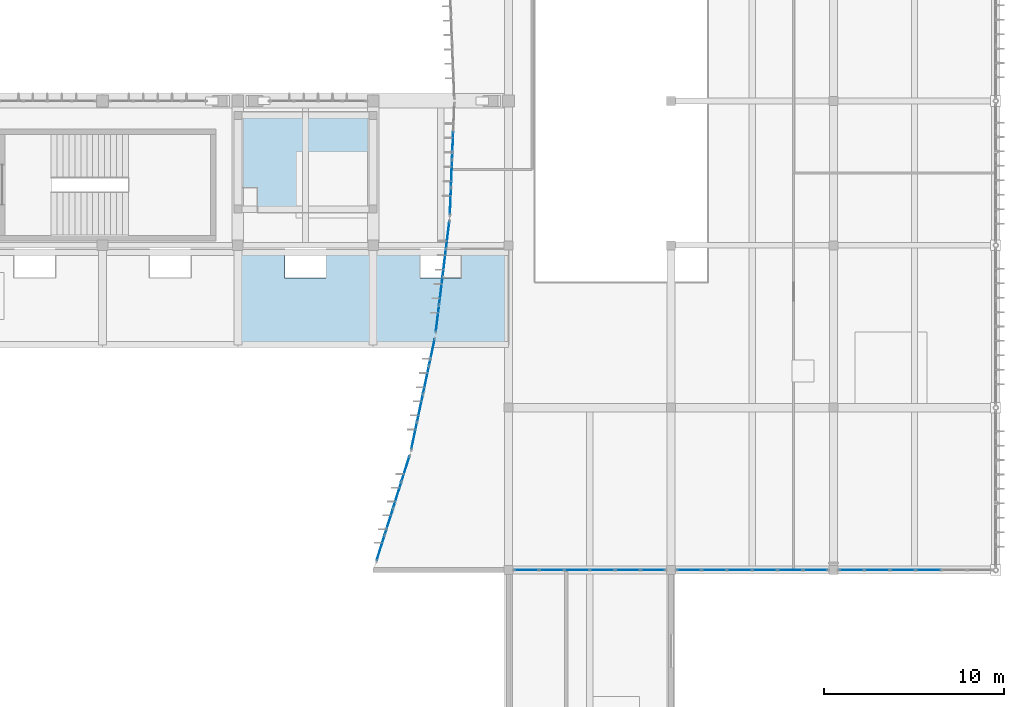
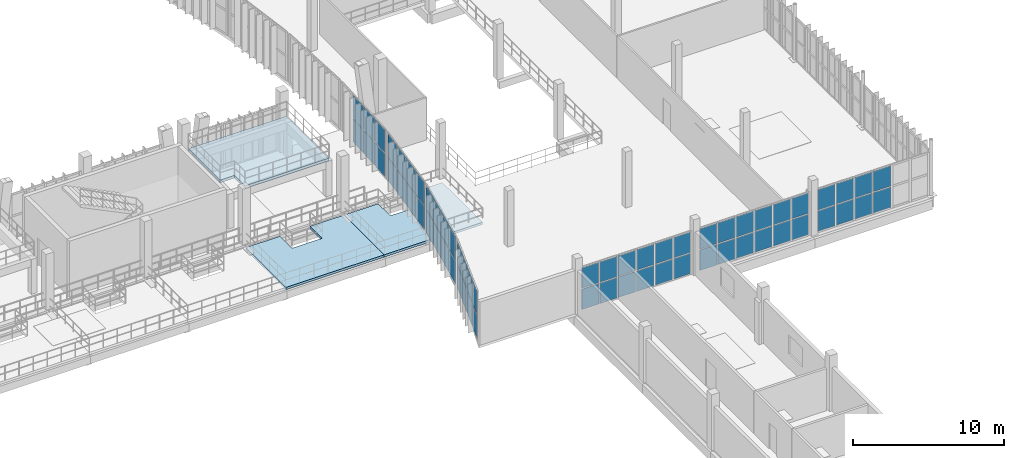
# One storey, part 45 of 81: 62 plates, 3 slabs, 7 elements without a shape of their own.
"""IFC4 building model written with IfcOpenShell, lengths in metres."""

from ifc_helpers import new_model, si_unit, direction, frame, origin, origin_2d, place, context, subcontext, project, spatial, polyline, rectangle, outline, extrude, material, layer, layer_set, type_object, element, aggregate, save


model = new_model("IFC4")

# Units and contexts
model_context = context("Model", 3, precision=1e-05, world=origin(), true_north=direction((0.0, 1.0)))
body_context = subcontext(model_context, "Body", "Model", "MODEL_VIEW")
ifc_project = project(units=[si_unit("LENGTHUNIT", "METRE"), si_unit("AREAUNIT", "SQUARE_METRE"), si_unit("VOLUMEUNIT", "CUBIC_METRE"), si_unit("PLANEANGLEUNIT", "RADIAN"), si_unit("MASSUNIT", "GRAM", prefix="KILO")], contexts=[model_context])

# Site, building, storey
site_placement = place(None, origin())
site = spatial("IfcSite", under=ifc_project, at=site_placement, CompositionType="ELEMENT")
building_placement = place(site_placement, origin())
building = spatial("IfcBuilding", under=site, at=building_placement, Name="Vourika Railside Aquatics Centre", CompositionType="ELEMENT")
storey_placement = place(building_placement, frame((0.0, 0.0, 4.800048828125)))
storey = spatial("IfcBuildingStorey", under=building, at=storey_placement, Name="L01", CompositionType="ELEMENT", Elevation=4.800048828125)

# Curtain wall, plates
ifc_material_1 = material(Name="Anodized thermally broken aluminium", Category="aluminium")
curtain_wall_type_1 = type_object("IfcCurtainWallType", Name="CW-FOYC1", PredefinedType="NOTDEFINED", material=ifc_material_1)
curtain_wall_1_placement = place(storey_placement, origin())
curtain_wall_1 = element("IfcCurtainWall", 1, at=curtain_wall_1_placement, inside=storey, type_object=curtain_wall_type_1, Name="Curved Courtyard Foyer Curtain Wall L01-1", PredefinedType="NOTDEFINED")
ifc_material_2 = material(Name="Low-E solar-control laminated double glazing", Category="glass")
ifc_layer_1 = layer(ifc_material_2, 0.031982421875, Name="CWP-FOYC1")
ifc_layer_set_1 = layer_set([ifc_layer_1], Name="Low-E solar-control laminated double glazing")
plate_type_1 = type_object("IfcPlateType", Name="CWP-FOYC1", PredefinedType="CURTAIN_PANEL", material=ifc_layer_set_1)
plate_1_placement = place(storey_placement, frame((135.292724609375, 45.6083984375, 0.070068359375), z_axis=(0.0, 0.0, 1.0), x_axis=(-0.29997424472, -0.953947300696, 0.0)))
plate_1 = element("IfcPlate", 2, at=plate_1_placement, type_object=plate_type_1, Name="CW08 panel 1.1", PredefinedType="CURTAIN_PANEL", context=body_context, shape_type="SweptSolid", body=[
    extrude(rectangle(XDim=1.43603515625, YDim=0.031982421875, at=origin_2d()), origin(), (0.0, 0.0, 1.0), 1.85498046875),
])
plate_2_placement = place(storey_placement, frame((135.292724609375, 45.6083984375, 1.994873046875), z_axis=(0.0, 0.0, 1.0), x_axis=(-0.29997424472, -0.953947300696, 0.0)))
plate_2 = element("IfcPlate", 3, at=plate_2_placement, type_object=plate_type_1, Name="CW08 panel 1.2", PredefinedType="CURTAIN_PANEL", context=body_context, shape_type="SweptSolid", body=[
    extrude(rectangle(XDim=1.43603515625, YDim=0.031982421875, at=origin_2d()), origin(), (0.0, 0.0, 1.0), 1.85498046875),
])
plate_3_placement = place(storey_placement, frame((134.835693359375, 44.155029296875, 0.070068359375), z_axis=(0.0, 0.0, 1.0), x_axis=(-0.29997424472, -0.953947300696, 0.0)))
plate_3 = element("IfcPlate", 4, at=plate_3_placement, type_object=plate_type_1, Name="CW08 panel 2.1", PredefinedType="CURTAIN_PANEL", context=body_context, shape_type="SweptSolid", body=[
    extrude(rectangle(XDim=1.470947265625, YDim=0.031982421875, at=origin_2d()), origin(), (0.0, 0.0, 1.0), 1.85498046875),
])
plate_4_placement = place(storey_placement, frame((134.835693359375, 44.155029296875, 1.994873046875), z_axis=(0.0, 0.0, 1.0), x_axis=(-0.29997424472, -0.953947300696, 0.0)))
plate_4 = element("IfcPlate", 5, at=plate_4_placement, type_object=plate_type_1, Name="CW08 panel 2.2", PredefinedType="CURTAIN_PANEL", context=body_context, shape_type="SweptSolid", body=[
    extrude(rectangle(XDim=1.470947265625, YDim=0.031982421875, at=origin_2d()), origin(), (0.0, 0.0, 1.0), 1.85498046875),
])
plate_5_placement = place(storey_placement, frame((134.373291015625, 42.68505859375, 0.070068359375), z_axis=(0.0, 0.0, 1.0), x_axis=(-0.29997424472, -0.953947300696, 0.0)))
plate_5 = element("IfcPlate", 6, at=plate_5_placement, type_object=plate_type_1, Name="CW08 panel 3.1", PredefinedType="CURTAIN_PANEL", context=body_context, shape_type="SweptSolid", body=[
    extrude(rectangle(XDim=1.470947265625, YDim=0.031982421875, at=origin_2d()), origin(), (0.0, 0.0, 1.0), 1.85498046875),
])
plate_6_placement = place(storey_placement, frame((134.373291015625, 42.68505859375, 1.994873046875), z_axis=(0.0, 0.0, 1.0), x_axis=(-0.29997424472, -0.953947300696, 0.0)))
plate_6 = element("IfcPlate", 7, at=plate_6_placement, type_object=plate_type_1, Name="CW08 panel 3.2", PredefinedType="CURTAIN_PANEL", context=body_context, shape_type="SweptSolid", body=[
    extrude(rectangle(XDim=1.470947265625, YDim=0.031982421875, at=origin_2d()), origin(), (0.0, 0.0, 1.0), 1.85498046875),
])
plate_7_placement = place(storey_placement, frame((133.916259765625, 41.231689453125, 0.070068359375), z_axis=(0.0, 0.0, 1.0), x_axis=(-0.29997424472, -0.953947300696, 0.0)))
plate_7 = element("IfcPlate", 8, at=plate_7_placement, type_object=plate_type_1, Name="CW08 panel 4.1", PredefinedType="CURTAIN_PANEL", context=body_context, shape_type="SweptSolid", body=[
    extrude(rectangle(XDim=1.43603515625, YDim=0.031982421875, at=origin_2d()), origin(), (0.0, 0.0, 1.0), 1.85498046875),
])
plate_8_placement = place(storey_placement, frame((133.916259765625, 41.231689453125, 1.994873046875), z_axis=(0.0, 0.0, 1.0), x_axis=(-0.29997424472, -0.953947300696, 0.0)))
plate_8 = element("IfcPlate", 9, at=plate_8_placement, type_object=plate_type_1, Name="CW08 panel 4.2", PredefinedType="CURTAIN_PANEL", context=body_context, shape_type="SweptSolid", body=[
    extrude(rectangle(XDim=1.43603515625, YDim=0.031982421875, at=origin_2d()), origin(), (0.0, 0.0, 1.0), 1.85498046875),
])
aggregate(curtain_wall_1, [plate_1, plate_2, plate_3, plate_4, plate_5, plate_6, plate_7, plate_8])

curtain_wall_2_placement = place(storey_placement, origin())
curtain_wall_2 = element("IfcCurtainWall", 10, at=curtain_wall_2_placement, inside=storey, type_object=curtain_wall_type_1, Name="Curved Courtyard Foyer Curtain Wall L01-2", PredefinedType="NOTDEFINED")
plate_9_placement = place(storey_placement, frame((136.75341796875, 52.0654296875, 0.070068359375), z_axis=(0.0, 0.0, 1.0), x_axis=(-0.207595418094, -0.978214773139, 0.0)))
plate_9 = element("IfcPlate", 11, at=plate_9_placement, type_object=plate_type_1, Name="CW08 panel 1.1", PredefinedType="CURTAIN_PANEL", context=body_context, shape_type="SweptSolid", body=[
    extrude(rectangle(XDim=1.484619140625, YDim=0.031982421875, at=origin_2d()), origin(), (0.0, 0.0, 1.0), 1.85498046875),
])
plate_10_placement = place(storey_placement, frame((136.75341796875, 52.0654296875, 1.994873046875), z_axis=(0.0, 0.0, 1.0), x_axis=(-0.207595418094, -0.978214773139, 0.0)))
plate_10 = element("IfcPlate", 12, at=plate_10_placement, type_object=plate_type_1, Name="CW08 panel 1.2", PredefinedType="CURTAIN_PANEL", context=body_context, shape_type="SweptSolid", body=[
    extrude(rectangle(XDim=1.484619140625, YDim=0.031982421875, at=origin_2d()), origin(), (0.0, 0.0, 1.0), 1.85498046875),
])
plate_11_placement = place(storey_placement, frame((136.427001953125, 50.527587890625, 0.070068359375), z_axis=(0.0, 0.0, 1.0), x_axis=(-0.207595418094, -0.978214773139, 0.0)))
plate_11 = element("IfcPlate", 13, at=plate_11_placement, type_object=plate_type_1, Name="CW08 panel 2.1", PredefinedType="CURTAIN_PANEL", context=body_context, shape_type="SweptSolid", body=[
    extrude(rectangle(XDim=1.51953125, YDim=0.031982421875, at=origin_2d()), origin(), (0.0, 0.0, 1.0), 1.85498046875),
])
plate_12_placement = place(storey_placement, frame((136.427001953125, 50.527587890625, 1.994873046875), z_axis=(0.0, 0.0, 1.0), x_axis=(-0.207595418094, -0.978214773139, 0.0)))
plate_12 = element("IfcPlate", 14, at=plate_12_placement, type_object=plate_type_1, Name="CW08 panel 2.2", PredefinedType="CURTAIN_PANEL", context=body_context, shape_type="SweptSolid", body=[
    extrude(rectangle(XDim=1.51953125, YDim=0.031982421875, at=origin_2d()), origin(), (0.0, 0.0, 1.0), 1.85498046875),
])
plate_13_placement = place(storey_placement, frame((136.096923828125, 48.972412109375, 0.070068359375), z_axis=(0.0, 0.0, 1.0), x_axis=(-0.207595418094, -0.978214773139, 0.0)))
plate_13 = element("IfcPlate", 15, at=plate_13_placement, type_object=plate_type_1, Name="CW08 panel 3.1", PredefinedType="CURTAIN_PANEL", context=body_context, shape_type="SweptSolid", body=[
    extrude(rectangle(XDim=1.51953125, YDim=0.031982421875, at=origin_2d()), origin(), (0.0, 0.0, 1.0), 1.85498046875),
])
plate_14_placement = place(storey_placement, frame((136.096923828125, 48.972412109375, 1.994873046875), z_axis=(0.0, 0.0, 1.0), x_axis=(-0.207595418094, -0.978214773139, 0.0)))
plate_14 = element("IfcPlate", 16, at=plate_14_placement, type_object=plate_type_1, Name="CW08 panel 3.2", PredefinedType="CURTAIN_PANEL", context=body_context, shape_type="SweptSolid", body=[
    extrude(rectangle(XDim=1.51953125, YDim=0.031982421875, at=origin_2d()), origin(), (0.0, 0.0, 1.0), 1.85498046875),
])
plate_15_placement = place(storey_placement, frame((135.770751953125, 47.4345703125, 0.070068359375), z_axis=(0.0, 0.0, 1.0), x_axis=(-0.207595418094, -0.978214773139, 0.0)))
plate_15 = element("IfcPlate", 17, at=plate_15_placement, type_object=plate_type_1, Name="CW08 panel 4.1", PredefinedType="CURTAIN_PANEL", context=body_context, shape_type="SweptSolid", body=[
    extrude(rectangle(XDim=1.484619140625, YDim=0.031982421875, at=origin_2d()), origin(), (0.0, 0.0, 1.0), 1.85498046875),
])
plate_16_placement = place(storey_placement, frame((135.770751953125, 47.4345703125, 1.994873046875), z_axis=(0.0, 0.0, 1.0), x_axis=(-0.207595418094, -0.978214773139, 0.0)))
plate_16 = element("IfcPlate", 18, at=plate_16_placement, type_object=plate_type_1, Name="CW08 panel 4.2", PredefinedType="CURTAIN_PANEL", context=body_context, shape_type="SweptSolid", body=[
    extrude(rectangle(XDim=1.484619140625, YDim=0.031982421875, at=origin_2d()), origin(), (0.0, 0.0, 1.0), 1.85498046875),
])
aggregate(curtain_wall_2, [plate_9, plate_10, plate_11, plate_12, plate_13, plate_14, plate_15, plate_16])

curtain_wall_3_placement = place(storey_placement, origin())
curtain_wall_3 = element("IfcCurtainWall", 19, at=curtain_wall_3_placement, inside=storey, type_object=curtain_wall_type_1, Name="Curved Courtyard Foyer Curtain Wall L01-3", PredefinedType="NOTDEFINED")
plate_17_placement = place(storey_placement, frame((137.6318359375, 58.565185546875, 0.070068359375), z_axis=(0.0, 0.0, 1.0), x_axis=(-0.121441721361, -0.992598563525, 0.0)))
plate_17 = element("IfcPlate", 20, at=plate_17_placement, type_object=plate_type_1, Name="CW08 panel 1.1", PredefinedType="CURTAIN_PANEL", context=body_context, shape_type="SweptSolid", body=[
    extrude(rectangle(XDim=1.461669921875, YDim=0.031982421875, at=origin_2d()), origin(), (0.0, 0.0, 1.0), 1.85498046875),
])
plate_18_placement = place(storey_placement, frame((137.6318359375, 58.565185546875, 1.994873046875), z_axis=(0.0, 0.0, 1.0), x_axis=(-0.121441721361, -0.992598563525, 0.0)))
plate_18 = element("IfcPlate", 21, at=plate_18_placement, type_object=plate_type_1, Name="CW08 panel 1.2", PredefinedType="CURTAIN_PANEL", context=body_context, shape_type="SweptSolid", body=[
    extrude(rectangle(XDim=1.461669921875, YDim=0.031982421875, at=origin_2d()), origin(), (0.0, 0.0, 1.0), 1.85498046875),
])
plate_19_placement = place(storey_placement, frame((137.443603515625, 57.027587890625, 0.070068359375), z_axis=(0.0, 0.0, 1.0), x_axis=(-0.121441721361, -0.992598563525, 0.0)))
plate_19 = element("IfcPlate", 22, at=plate_19_placement, type_object=plate_type_1, Name="CW08 panel 2.1", PredefinedType="CURTAIN_PANEL", context=body_context, shape_type="SweptSolid", body=[
    extrude(rectangle(XDim=1.49658203125, YDim=0.031982421875, at=origin_2d()), origin(), (0.0, 0.0, 1.0), 1.85498046875),
])
plate_20_placement = place(storey_placement, frame((137.443603515625, 57.027587890625, 1.994873046875), z_axis=(0.0, 0.0, 1.0), x_axis=(-0.121441721361, -0.992598563525, 0.0)))
plate_20 = element("IfcPlate", 23, at=plate_20_placement, type_object=plate_type_1, Name="CW08 panel 2.2", PredefinedType="CURTAIN_PANEL", context=body_context, shape_type="SweptSolid", body=[
    extrude(rectangle(XDim=1.49658203125, YDim=0.031982421875, at=origin_2d()), origin(), (0.0, 0.0, 1.0), 1.85498046875),
])
plate_21_placement = place(storey_placement, frame((137.25341796875, 55.472412109375, 0.070068359375), z_axis=(0.0, 0.0, 1.0), x_axis=(-0.121441721361, -0.992598563525, 0.0)))
plate_21 = element("IfcPlate", 24, at=plate_21_placement, type_object=plate_type_1, Name="CW08 panel 3.1", PredefinedType="CURTAIN_PANEL", context=body_context, shape_type="SweptSolid", body=[
    extrude(rectangle(XDim=1.49658203125, YDim=0.031982421875, at=origin_2d()), origin(), (0.0, 0.0, 1.0), 1.85498046875),
])
plate_22_placement = place(storey_placement, frame((137.25341796875, 55.472412109375, 1.994873046875), z_axis=(0.0, 0.0, 1.0), x_axis=(-0.121441721361, -0.992598563525, 0.0)))
plate_22 = element("IfcPlate", 25, at=plate_22_placement, type_object=plate_type_1, Name="CW08 panel 3.2", PredefinedType="CURTAIN_PANEL", context=body_context, shape_type="SweptSolid", body=[
    extrude(rectangle(XDim=1.49658203125, YDim=0.031982421875, at=origin_2d()), origin(), (0.0, 0.0, 1.0), 1.85498046875),
])
plate_23_placement = place(storey_placement, frame((137.065185546875, 53.934814453125, 0.070068359375), z_axis=(0.0, 0.0, 1.0), x_axis=(-0.121441721361, -0.992598563525, 0.0)))
plate_23 = element("IfcPlate", 26, at=plate_23_placement, type_object=plate_type_1, Name="CW08 panel 4.1", PredefinedType="CURTAIN_PANEL", context=body_context, shape_type="SweptSolid", body=[
    extrude(rectangle(XDim=1.461669921875, YDim=0.031982421875, at=origin_2d()), origin(), (0.0, 0.0, 1.0), 1.85498046875),
])
plate_24_placement = place(storey_placement, frame((137.065185546875, 53.934814453125, 1.994873046875), z_axis=(0.0, 0.0, 1.0), x_axis=(-0.121441721361, -0.992598563525, 0.0)))
plate_24 = element("IfcPlate", 27, at=plate_24_placement, type_object=plate_type_1, Name="CW08 panel 4.2", PredefinedType="CURTAIN_PANEL", context=body_context, shape_type="SweptSolid", body=[
    extrude(rectangle(XDim=1.461669921875, YDim=0.031982421875, at=origin_2d()), origin(), (0.0, 0.0, 1.0), 1.85498046875),
])
aggregate(curtain_wall_3, [plate_17, plate_18, plate_19, plate_20, plate_21, plate_22, plate_23, plate_24])

curtain_wall_4_placement = place(storey_placement, origin())
curtain_wall_4 = element("IfcCurtainWall", 28, at=curtain_wall_4_placement, inside=storey, type_object=curtain_wall_type_1, Name="Curved Courtyard Foyer Curtain Wall L01-4", PredefinedType="NOTDEFINED")
plate_25_placement = place(storey_placement, frame((137.90673828125, 63.527587890625, 0.070068359375), z_axis=(0.0, 0.0, 1.0), x_axis=(-0.040000115606, -0.999199675116, 0.0)))
plate_25 = element("IfcPlate", 29, at=plate_25_placement, type_object=plate_type_1, Name="CW08 panel 2.1", PredefinedType="CURTAIN_PANEL", context=body_context, shape_type="SweptSolid", body=[
    extrude(rectangle(XDim=1.486328125, YDim=0.031982421875, at=origin_2d()), origin(), (0.0, 0.0, 1.0), 1.85498046875),
])
plate_26_placement = place(storey_placement, frame((137.90673828125, 63.527587890625, 1.994873046875), z_axis=(0.0, 0.0, 1.0), x_axis=(-0.040000115606, -0.999199675116, 0.0)))
plate_26 = element("IfcPlate", 30, at=plate_26_placement, type_object=plate_type_1, Name="CW08 panel 2.2", PredefinedType="CURTAIN_PANEL", context=body_context, shape_type="SweptSolid", body=[
    extrude(rectangle(XDim=1.486328125, YDim=0.031982421875, at=origin_2d()), origin(), (0.0, 0.0, 1.0), 1.85498046875),
])
plate_27_placement = place(storey_placement, frame((137.844482421875, 61.972412109375, 0.070068359375), z_axis=(0.0, 0.0, 1.0), x_axis=(-0.040000115606, -0.999199675116, 0.0)))
plate_27 = element("IfcPlate", 31, at=plate_27_placement, type_object=plate_type_1, Name="CW08 panel 3.1", PredefinedType="CURTAIN_PANEL", context=body_context, shape_type="SweptSolid", body=[
    extrude(rectangle(XDim=1.486328125, YDim=0.031982421875, at=origin_2d()), origin(), (0.0, 0.0, 1.0), 1.85498046875),
])
plate_28_placement = place(storey_placement, frame((137.844482421875, 61.972412109375, 1.994873046875), z_axis=(0.0, 0.0, 1.0), x_axis=(-0.040000115606, -0.999199675116, 0.0)))
plate_28 = element("IfcPlate", 32, at=plate_28_placement, type_object=plate_type_1, Name="CW08 panel 3.2", PredefinedType="CURTAIN_PANEL", context=body_context, shape_type="SweptSolid", body=[
    extrude(rectangle(XDim=1.486328125, YDim=0.031982421875, at=origin_2d()), origin(), (0.0, 0.0, 1.0), 1.85498046875),
])
plate_29_placement = place(storey_placement, frame((137.78271484375, 60.43505859375, 0.070068359375), z_axis=(0.0, 0.0, 1.0), x_axis=(-0.040000115606, -0.999199675116, 0.0)))
plate_29 = element("IfcPlate", 33, at=plate_29_placement, type_object=plate_type_1, Name="CW08 panel 4.1", PredefinedType="CURTAIN_PANEL", context=body_context, shape_type="SweptSolid", body=[
    extrude(rectangle(XDim=1.451171875, YDim=0.031982421875, at=origin_2d()), origin(), (0.0, 0.0, 1.0), 1.85498046875),
])
plate_30_placement = place(storey_placement, frame((137.78271484375, 60.43505859375, 1.994873046875), z_axis=(0.0, 0.0, 1.0), x_axis=(-0.040000115606, -0.999199675116, 0.0)))
plate_30 = element("IfcPlate", 34, at=plate_30_placement, type_object=plate_type_1, Name="CW08 panel 4.2", PredefinedType="CURTAIN_PANEL", context=body_context, shape_type="SweptSolid", body=[
    extrude(rectangle(XDim=1.451171875, YDim=0.031982421875, at=origin_2d()), origin(), (0.0, 0.0, 1.0), 1.85498046875),
])
aggregate(curtain_wall_4, [plate_25, plate_26, plate_27, plate_28, plate_29, plate_30])

curtain_wall_type_2 = type_object("IfcCurtainWallType", Name="CW-FOYS", PredefinedType="NOTDEFINED", material=ifc_material_1)
curtain_wall_5_placement = place(storey_placement, origin())
curtain_wall_5 = element("IfcCurtainWall", 35, at=curtain_wall_5_placement, inside=storey, type_object=curtain_wall_type_2, Name="Foyer South Glazed Facade L01-1", PredefinedType="NOTDEFINED")
ifc_layer_2 = layer(ifc_material_2, 0.031982421875, Name="CWP-FOYS")
ifc_layer_set_2 = layer_set([ifc_layer_2], Name="Low-E solar-control laminated double glazing")
plate_type_2 = type_object("IfcPlateType", Name="CWP-FOYS", PredefinedType="CURTAIN_PANEL", material=ifc_layer_set_2)
plate_31_placement = place(storey_placement, frame((142.001220703125, 40.0, 0.072021484375), z_axis=(0.0, 0.0, 1.0), x_axis=(1.0, 0.0, 0.0)))
plate_31 = element("IfcPlate", 36, at=plate_31_placement, type_object=plate_type_2, Name="CW11 panel 1.1", PredefinedType="CURTAIN_PANEL", context=body_context, shape_type="SweptSolid", body=[
    extrude(rectangle(XDim=1.298583984375, YDim=0.031982421875, at=origin_2d()), origin(), (0.0, 0.0, 1.0), 1.64208984375),
])
plate_32_placement = place(storey_placement, frame((142.001220703125, 40.0, 1.785888671875), z_axis=(0.0, 0.0, 1.0), x_axis=(1.0, 0.0, 0.0)))
plate_32 = element("IfcPlate", 37, at=plate_32_placement, type_object=plate_type_2, Name="CW11 panel 1.2", PredefinedType="CURTAIN_PANEL", context=body_context, shape_type="SweptSolid", body=[
    extrude(rectangle(XDim=1.298583984375, YDim=0.031982421875, at=origin_2d()), origin(), (0.0, 0.0, 1.0), 1.64208984375),
])
plate_33_placement = place(storey_placement, frame((143.389892578125, 40.0, 0.072021484375), z_axis=(0.0, 0.0, 1.0), x_axis=(1.0, 0.0, 0.0)))
plate_33 = element("IfcPlate", 38, at=plate_33_placement, type_object=plate_type_2, Name="CW11 panel 2.1", PredefinedType="CURTAIN_PANEL", context=body_context, shape_type="SweptSolid", body=[
    extrude(rectangle(XDim=1.334716796875, YDim=0.031982421875, at=origin_2d()), origin(), (0.0, 0.0, 1.0), 1.64208984375),
])
plate_34_placement = place(storey_placement, frame((143.389892578125, 40.0, 1.785888671875), z_axis=(0.0, 0.0, 1.0), x_axis=(1.0, 0.0, 0.0)))
plate_34 = element("IfcPlate", 39, at=plate_34_placement, type_object=plate_type_2, Name="CW11 panel 2.2", PredefinedType="CURTAIN_PANEL", context=body_context, shape_type="SweptSolid", body=[
    extrude(rectangle(XDim=1.334716796875, YDim=0.031982421875, at=origin_2d()), origin(), (0.0, 0.0, 1.0), 1.64208984375),
])
plate_35_placement = place(storey_placement, frame((144.796630859375, 40.0, 0.072021484375), z_axis=(0.0, 0.0, 1.0), x_axis=(1.0, 0.0, 0.0)))
plate_35 = element("IfcPlate", 40, at=plate_35_placement, type_object=plate_type_2, Name="CW11 panel 3.1", PredefinedType="CURTAIN_PANEL", context=body_context, shape_type="SweptSolid", body=[
    extrude(rectangle(XDim=1.334716796875, YDim=0.031982421875, at=origin_2d()), origin(), (0.0, 0.0, 1.0), 1.64208984375),
])
plate_36_placement = place(storey_placement, frame((144.796630859375, 40.0, 1.785888671875), z_axis=(0.0, 0.0, 1.0), x_axis=(1.0, 0.0, 0.0)))
plate_36 = element("IfcPlate", 41, at=plate_36_placement, type_object=plate_type_2, Name="CW11 panel 3.2", PredefinedType="CURTAIN_PANEL", context=body_context, shape_type="SweptSolid", body=[
    extrude(rectangle(XDim=1.334716796875, YDim=0.031982421875, at=origin_2d()), origin(), (0.0, 0.0, 1.0), 1.64208984375),
])
plate_37_placement = place(storey_placement, frame((146.203369140625, 40.0, 0.072021484375), z_axis=(0.0, 0.0, 1.0), x_axis=(1.0, 0.0, 0.0)))
plate_37 = element("IfcPlate", 42, at=plate_37_placement, type_object=plate_type_2, Name="CW11 panel 4.1", PredefinedType="CURTAIN_PANEL", context=body_context, shape_type="SweptSolid", body=[
    extrude(rectangle(XDim=1.334716796875, YDim=0.031982421875, at=origin_2d()), origin(), (0.0, 0.0, 1.0), 1.64208984375),
])
plate_38_placement = place(storey_placement, frame((146.203369140625, 40.0, 1.785888671875), z_axis=(0.0, 0.0, 1.0), x_axis=(1.0, 0.0, 0.0)))
plate_38 = element("IfcPlate", 43, at=plate_38_placement, type_object=plate_type_2, Name="CW11 panel 4.2", PredefinedType="CURTAIN_PANEL", context=body_context, shape_type="SweptSolid", body=[
    extrude(rectangle(XDim=1.334716796875, YDim=0.031982421875, at=origin_2d()), origin(), (0.0, 0.0, 1.0), 1.64208984375),
])
plate_39_placement = place(storey_placement, frame((147.610107421875, 40.0, 0.072021484375), z_axis=(0.0, 0.0, 1.0), x_axis=(1.0, 0.0, 0.0)))
plate_39 = element("IfcPlate", 44, at=plate_39_placement, type_object=plate_type_2, Name="CW11 panel 5.1", PredefinedType="CURTAIN_PANEL", context=body_context, shape_type="SweptSolid", body=[
    extrude(rectangle(XDim=1.334716796875, YDim=0.031982421875, at=origin_2d()), origin(), (0.0, 0.0, 1.0), 1.64208984375),
])
plate_40_placement = place(storey_placement, frame((147.610107421875, 40.0, 1.785888671875), z_axis=(0.0, 0.0, 1.0), x_axis=(1.0, 0.0, 0.0)))
plate_40 = element("IfcPlate", 45, at=plate_40_placement, type_object=plate_type_2, Name="CW11 panel 5.2", PredefinedType="CURTAIN_PANEL", context=body_context, shape_type="SweptSolid", body=[
    extrude(rectangle(XDim=1.334716796875, YDim=0.031982421875, at=origin_2d()), origin(), (0.0, 0.0, 1.0), 1.64208984375),
])
plate_41_placement = place(storey_placement, frame((148.998779296875, 40.0, 0.072021484375), z_axis=(0.0, 0.0, 1.0), x_axis=(1.0, 0.0, 0.0)))
plate_41 = element("IfcPlate", 46, at=plate_41_placement, type_object=plate_type_2, Name="CW11 panel 6.1", PredefinedType="CURTAIN_PANEL", context=body_context, shape_type="SweptSolid", body=[
    extrude(rectangle(XDim=1.298583984375, YDim=0.031982421875, at=origin_2d()), origin(), (0.0, 0.0, 1.0), 1.64208984375),
])
plate_42_placement = place(storey_placement, frame((148.998779296875, 40.0, 1.785888671875), z_axis=(0.0, 0.0, 1.0), x_axis=(1.0, 0.0, 0.0)))
plate_42 = element("IfcPlate", 47, at=plate_42_placement, type_object=plate_type_2, Name="CW11 panel 6.2", PredefinedType="CURTAIN_PANEL", context=body_context, shape_type="SweptSolid", body=[
    extrude(rectangle(XDim=1.298583984375, YDim=0.031982421875, at=origin_2d()), origin(), (0.0, 0.0, 1.0), 1.64208984375),
])
aggregate(curtain_wall_5, [plate_31, plate_32, plate_33, plate_34, plate_35, plate_36, plate_37, plate_38, plate_39, plate_40, plate_41, plate_42])

curtain_wall_6_placement = place(storey_placement, origin())
curtain_wall_6 = element("IfcCurtainWall", 48, at=curtain_wall_6_placement, inside=storey, type_object=curtain_wall_type_2, Name="Foyer South Glazed Facade L01-2", PredefinedType="NOTDEFINED")
plate_43_placement = place(storey_placement, frame((151.001220703125, 40.0, 0.072021484375), z_axis=(0.0, 0.0, 1.0), x_axis=(1.0, 0.0, 0.0)))
plate_43 = element("IfcPlate", 49, at=plate_43_placement, type_object=plate_type_2, Name="CW11 panel 1.1", PredefinedType="CURTAIN_PANEL", context=body_context, shape_type="SweptSolid", body=[
    extrude(rectangle(XDim=1.298583984375, YDim=0.031982421875, at=origin_2d()), origin(), (0.0, 0.0, 1.0), 1.64208984375),
])
plate_44_placement = place(storey_placement, frame((151.001220703125, 40.0, 1.785888671875), z_axis=(0.0, 0.0, 1.0), x_axis=(1.0, 0.0, 0.0)))
plate_44 = element("IfcPlate", 50, at=plate_44_placement, type_object=plate_type_2, Name="CW11 panel 1.2", PredefinedType="CURTAIN_PANEL", context=body_context, shape_type="SweptSolid", body=[
    extrude(rectangle(XDim=1.298583984375, YDim=0.031982421875, at=origin_2d()), origin(), (0.0, 0.0, 1.0), 1.64208984375),
])
plate_45_placement = place(storey_placement, frame((152.389892578125, 40.0, 0.072021484375), z_axis=(0.0, 0.0, 1.0), x_axis=(1.0, 0.0, 0.0)))
plate_45 = element("IfcPlate", 51, at=plate_45_placement, type_object=plate_type_2, Name="CW11 panel 2.1", PredefinedType="CURTAIN_PANEL", context=body_context, shape_type="SweptSolid", body=[
    extrude(rectangle(XDim=1.334716796875, YDim=0.031982421875, at=origin_2d()), origin(), (0.0, 0.0, 1.0), 1.64208984375),
])
plate_46_placement = place(storey_placement, frame((152.389892578125, 40.0, 1.785888671875), z_axis=(0.0, 0.0, 1.0), x_axis=(1.0, 0.0, 0.0)))
plate_46 = element("IfcPlate", 52, at=plate_46_placement, type_object=plate_type_2, Name="CW11 panel 2.2", PredefinedType="CURTAIN_PANEL", context=body_context, shape_type="SweptSolid", body=[
    extrude(rectangle(XDim=1.334716796875, YDim=0.031982421875, at=origin_2d()), origin(), (0.0, 0.0, 1.0), 1.64208984375),
])
plate_47_placement = place(storey_placement, frame((153.796630859375, 40.0, 0.072021484375), z_axis=(0.0, 0.0, 1.0), x_axis=(1.0, 0.0, 0.0)))
plate_47 = element("IfcPlate", 53, at=plate_47_placement, type_object=plate_type_2, Name="CW11 panel 3.1", PredefinedType="CURTAIN_PANEL", context=body_context, shape_type="SweptSolid", body=[
    extrude(rectangle(XDim=1.334716796875, YDim=0.031982421875, at=origin_2d()), origin(), (0.0, 0.0, 1.0), 1.64208984375),
])
plate_48_placement = place(storey_placement, frame((153.796630859375, 40.0, 1.785888671875), z_axis=(0.0, 0.0, 1.0), x_axis=(1.0, 0.0, 0.0)))
plate_48 = element("IfcPlate", 54, at=plate_48_placement, type_object=plate_type_2, Name="CW11 panel 3.2", PredefinedType="CURTAIN_PANEL", context=body_context, shape_type="SweptSolid", body=[
    extrude(rectangle(XDim=1.334716796875, YDim=0.031982421875, at=origin_2d()), origin(), (0.0, 0.0, 1.0), 1.64208984375),
])
plate_49_placement = place(storey_placement, frame((155.203369140625, 40.0, 0.072021484375), z_axis=(0.0, 0.0, 1.0), x_axis=(1.0, 0.0, 0.0)))
plate_49 = element("IfcPlate", 55, at=plate_49_placement, type_object=plate_type_2, Name="CW11 panel 4.1", PredefinedType="CURTAIN_PANEL", context=body_context, shape_type="SweptSolid", body=[
    extrude(rectangle(XDim=1.334716796875, YDim=0.031982421875, at=origin_2d()), origin(), (0.0, 0.0, 1.0), 1.64208984375),
])
plate_50_placement = place(storey_placement, frame((155.203369140625, 40.0, 1.785888671875), z_axis=(0.0, 0.0, 1.0), x_axis=(1.0, 0.0, 0.0)))
plate_50 = element("IfcPlate", 56, at=plate_50_placement, type_object=plate_type_2, Name="CW11 panel 4.2", PredefinedType="CURTAIN_PANEL", context=body_context, shape_type="SweptSolid", body=[
    extrude(rectangle(XDim=1.334716796875, YDim=0.031982421875, at=origin_2d()), origin(), (0.0, 0.0, 1.0), 1.64208984375),
])
plate_51_placement = place(storey_placement, frame((156.610107421875, 40.0, 0.072021484375), z_axis=(0.0, 0.0, 1.0), x_axis=(1.0, 0.0, 0.0)))
plate_51 = element("IfcPlate", 57, at=plate_51_placement, type_object=plate_type_2, Name="CW11 panel 5.1", PredefinedType="CURTAIN_PANEL", context=body_context, shape_type="SweptSolid", body=[
    extrude(rectangle(XDim=1.334716796875, YDim=0.031982421875, at=origin_2d()), origin(), (0.0, 0.0, 1.0), 1.64208984375),
])
plate_52_placement = place(storey_placement, frame((156.610107421875, 40.0, 1.785888671875), z_axis=(0.0, 0.0, 1.0), x_axis=(1.0, 0.0, 0.0)))
plate_52 = element("IfcPlate", 58, at=plate_52_placement, type_object=plate_type_2, Name="CW11 panel 5.2", PredefinedType="CURTAIN_PANEL", context=body_context, shape_type="SweptSolid", body=[
    extrude(rectangle(XDim=1.334716796875, YDim=0.031982421875, at=origin_2d()), origin(), (0.0, 0.0, 1.0), 1.64208984375),
])
plate_53_placement = place(storey_placement, frame((157.998779296875, 40.0, 0.072021484375), z_axis=(0.0, 0.0, 1.0), x_axis=(1.0, 0.0, 0.0)))
plate_53 = element("IfcPlate", 59, at=plate_53_placement, type_object=plate_type_2, Name="CW11 panel 6.1", PredefinedType="CURTAIN_PANEL", context=body_context, shape_type="SweptSolid", body=[
    extrude(rectangle(XDim=1.298583984375, YDim=0.031982421875, at=origin_2d()), origin(), (0.0, 0.0, 1.0), 1.64208984375),
])
plate_54_placement = place(storey_placement, frame((157.998779296875, 40.0, 1.785888671875), z_axis=(0.0, 0.0, 1.0), x_axis=(1.0, 0.0, 0.0)))
plate_54 = element("IfcPlate", 60, at=plate_54_placement, type_object=plate_type_2, Name="CW11 panel 6.2", PredefinedType="CURTAIN_PANEL", context=body_context, shape_type="SweptSolid", body=[
    extrude(rectangle(XDim=1.298583984375, YDim=0.031982421875, at=origin_2d()), origin(), (0.0, 0.0, 1.0), 1.64208984375),
])
aggregate(curtain_wall_6, [plate_43, plate_44, plate_45, plate_46, plate_47, plate_48, plate_49, plate_50, plate_51, plate_52, plate_53, plate_54])

curtain_wall_7_placement = place(storey_placement, origin())
curtain_wall_7 = element("IfcCurtainWall", 61, at=curtain_wall_7_placement, inside=storey, type_object=curtain_wall_type_2, Name="Foyer South Glazed Facade L01-3", PredefinedType="NOTDEFINED")
plate_55_placement = place(storey_placement, frame((160.0107421875, 40.0, 0.072021484375), z_axis=(0.0, 0.0, 1.0), x_axis=(1.0, 0.0, 0.0)))
plate_55 = element("IfcPlate", 62, at=plate_55_placement, type_object=plate_type_2, Name="CW11 panel 1.1", PredefinedType="CURTAIN_PANEL", context=body_context, shape_type="SweptSolid", body=[
    extrude(rectangle(XDim=1.317626953125, YDim=0.031982421875, at=origin_2d()), origin(), (0.0, 0.0, 1.0), 1.64208984375),
])
plate_56_placement = place(storey_placement, frame((160.0107421875, 40.0, 1.785888671875), z_axis=(0.0, 0.0, 1.0), x_axis=(1.0, 0.0, 0.0)))
plate_56 = element("IfcPlate", 63, at=plate_56_placement, type_object=plate_type_2, Name="CW11 panel 1.2", PredefinedType="CURTAIN_PANEL", context=body_context, shape_type="SweptSolid", body=[
    extrude(rectangle(XDim=1.317626953125, YDim=0.031982421875, at=origin_2d()), origin(), (0.0, 0.0, 1.0), 1.64208984375),
])
plate_57_placement = place(storey_placement, frame((161.41845703125, 40.0, 0.072021484375), z_axis=(0.0, 0.0, 1.0), x_axis=(1.0, 0.0, 0.0)))
plate_57 = element("IfcPlate", 64, at=plate_57_placement, type_object=plate_type_2, Name="CW11 panel 2.1", PredefinedType="CURTAIN_PANEL", context=body_context, shape_type="SweptSolid", body=[
    extrude(rectangle(XDim=1.353515625, YDim=0.031982421875, at=origin_2d()), origin(), (0.0, 0.0, 1.0), 1.64208984375),
])
plate_58_placement = place(storey_placement, frame((161.41845703125, 40.0, 1.785888671875), z_axis=(0.0, 0.0, 1.0), x_axis=(1.0, 0.0, 0.0)))
plate_58 = element("IfcPlate", 65, at=plate_58_placement, type_object=plate_type_2, Name="CW11 panel 2.2", PredefinedType="CURTAIN_PANEL", context=body_context, shape_type="SweptSolid", body=[
    extrude(rectangle(XDim=1.353515625, YDim=0.031982421875, at=origin_2d()), origin(), (0.0, 0.0, 1.0), 1.64208984375),
])
plate_59_placement = place(storey_placement, frame((162.843994140625, 40.0, 0.072021484375), z_axis=(0.0, 0.0, 1.0), x_axis=(1.0, 0.0, 0.0)))
plate_59 = element("IfcPlate", 66, at=plate_59_placement, type_object=plate_type_2, Name="CW11 panel 3.1", PredefinedType="CURTAIN_PANEL", context=body_context, shape_type="SweptSolid", body=[
    extrude(rectangle(XDim=1.353515625, YDim=0.031982421875, at=origin_2d()), origin(), (0.0, 0.0, 1.0), 1.64208984375),
])
plate_60_placement = place(storey_placement, frame((162.843994140625, 40.0, 1.785888671875), z_axis=(0.0, 0.0, 1.0), x_axis=(1.0, 0.0, 0.0)))
plate_60 = element("IfcPlate", 67, at=plate_60_placement, type_object=plate_type_2, Name="CW11 panel 3.2", PredefinedType="CURTAIN_PANEL", context=body_context, shape_type="SweptSolid", body=[
    extrude(rectangle(XDim=1.353515625, YDim=0.031982421875, at=origin_2d()), origin(), (0.0, 0.0, 1.0), 1.64208984375),
])
plate_61_placement = place(storey_placement, frame((164.26953125, 40.0, 0.072021484375), z_axis=(0.0, 0.0, 1.0), x_axis=(1.0, 0.0, 0.0)))
plate_61 = element("IfcPlate", 68, at=plate_61_placement, type_object=plate_type_2, Name="CW11 panel 4.1", PredefinedType="CURTAIN_PANEL", context=body_context, shape_type="SweptSolid", body=[
    extrude(rectangle(XDim=1.353515625, YDim=0.031982421875, at=origin_2d()), origin(), (0.0, 0.0, 1.0), 1.64208984375),
])
plate_62_placement = place(storey_placement, frame((164.26953125, 40.0, 1.785888671875), z_axis=(0.0, 0.0, 1.0), x_axis=(1.0, 0.0, 0.0)))
plate_62 = element("IfcPlate", 69, at=plate_62_placement, type_object=plate_type_2, Name="CW11 panel 4.2", PredefinedType="CURTAIN_PANEL", context=body_context, shape_type="SweptSolid", body=[
    extrude(rectangle(XDim=1.353515625, YDim=0.031982421875, at=origin_2d()), origin(), (0.0, 0.0, 1.0), 1.64208984375),
])
aggregate(curtain_wall_7, [plate_55, plate_56, plate_57, plate_58, plate_59, plate_60, plate_61, plate_62])

# Slabs
ifc_material_3 = material(Name="Concrete C35/45", Category="concrete")
ifc_layer_3 = layer(ifc_material_3, 0.18994140625, Name="SLB-TIER-190")
ifc_layer_set_3 = layer_set([ifc_layer_3], Name="Concrete C35/45")
slab_type_1 = type_object("IfcSlabType", Name="SLB-TIER-190", PredefinedType="USERDEFINED", material=ifc_layer_set_3)
slab_1_placement = place(storey_placement, frame((0.0, 0.0, -0.5400390625)))
element("IfcSlab", 70, at=slab_1_placement, inside=storey, type_object=slab_type_1, Name="Stand Lower Tier Bay 13", ObjectType="SEATING TIER", PredefinedType="USERDEFINED", context=body_context, shape_type="SweptSolid", body=[
    extrude(outline(polyline([(133.5, 57.800048828125), (133.5, 52.5), (126.0, 52.5), (126.0, 57.800048828125), (128.60009765625, 57.800048828125), (128.60009765625, 56.199951171875), (130.89990234375, 56.199951171875), (130.89990234375, 57.800048828125), (133.5, 57.800048828125)])), origin(), (0.0, 0.0, 1.0), 0.18994140625),
])
slab_2_placement = place(storey_placement, frame((0.0, 0.0, -0.5400390625)))
element("IfcSlab", 71, at=slab_2_placement, inside=storey, type_object=slab_type_1, Name="Stand Lower Tier Bay 14", ObjectType="SEATING TIER", PredefinedType="USERDEFINED", context=body_context, shape_type="SweptSolid", body=[
    extrude(outline(polyline([(141.0, 57.800048828125), (141.0, 52.5), (133.5, 52.5), (133.5, 57.800048828125), (136.10009765625, 57.800048828125), (136.10009765625, 56.199951171875), (138.39990234375, 56.199951171875), (138.39990234375, 57.800048828125), (141.0, 57.800048828125)])), origin(), (0.0, 0.0, 1.0), 0.18994140625),
])
ifc_layer_4 = layer(ifc_material_3, 0.215087890625, Name="SLB-TIER-215")
ifc_layer_set_4 = layer_set([ifc_layer_4], Name="Concrete C35/45")
slab_type_2 = type_object("IfcSlabType", Name="SLB-TIER-215", PredefinedType="USERDEFINED", material=ifc_layer_set_4)
slab_3_placement = place(storey_placement, frame((0.0, 0.0, 2.804931640625)))
element("IfcSlab", 72, at=slab_3_placement, inside=storey, type_object=slab_type_2, Name="Stand Upper Tier Bay 13-1", ObjectType="SEATING TIER", PredefinedType="USERDEFINED", context=body_context, shape_type="SweptSolid", body=[
    extrude(outline(polyline([(133.5, 59.800048828125), (127.10009765625, 59.800048828125), (127.10009765625, 61.199951171875), (126.0, 61.199951171875), (126.0, 65.39990234375), (133.5, 65.39990234375), (133.5, 59.800048828125)])), origin(), (0.0, 0.0, 1.0), 0.215087890625),
])

save(model, "model.ifc")
